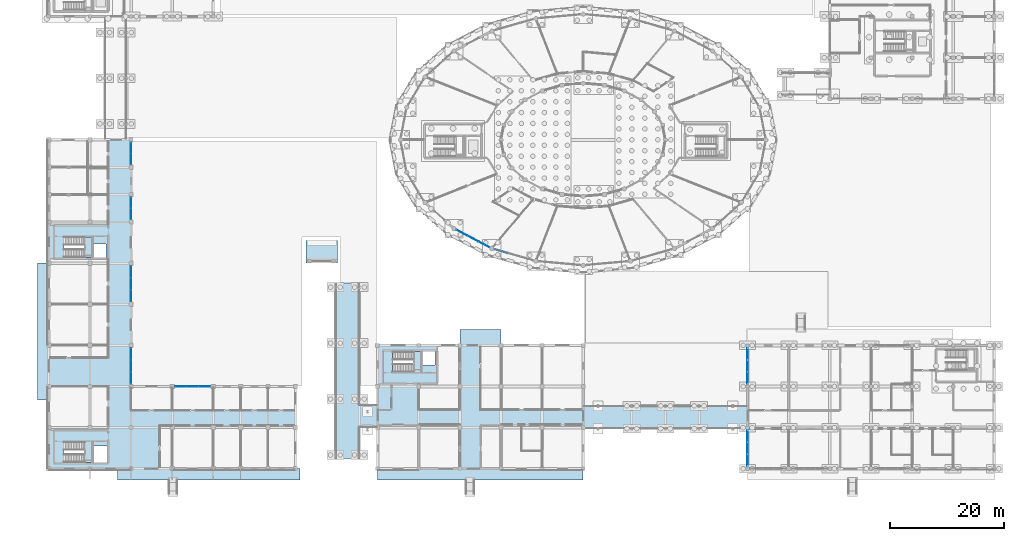
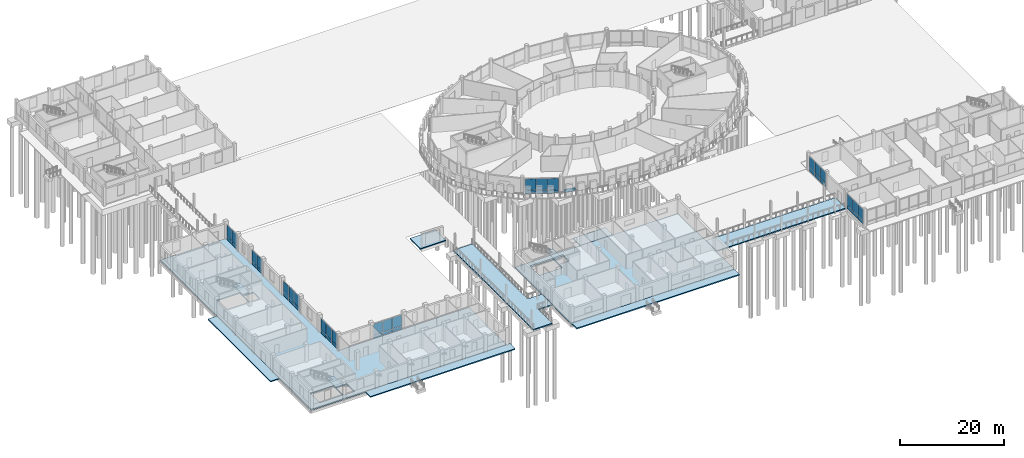
# One storey, part 65 of 98: 45 plates, 12 slabs, 12 elements without a shape of their own.
"""IFC4 building model written with IfcOpenShell, lengths in metres."""

from ifc_helpers import new_model, si_unit, direction, frame, origin, origin_2d, place, context, subcontext, project, spatial, polyline, rectangle, outline, extrude, material, layer, layer_set, type_object, element, aggregate, save


model = new_model("IFC4")

# Units and contexts
model_context = context("Model", 3, precision=1e-05, world=origin(), true_north=direction((0.0, 1.0)))
body_context = subcontext(model_context, "Body", "Model", "MODEL_VIEW")
ifc_project = project(units=[si_unit("LENGTHUNIT", "METRE"), si_unit("AREAUNIT", "SQUARE_METRE"), si_unit("VOLUMEUNIT", "CUBIC_METRE"), si_unit("PLANEANGLEUNIT", "RADIAN"), si_unit("MASSUNIT", "GRAM", prefix="KILO")], contexts=[model_context])

# Site, building, storey
site_placement = place(None, origin())
site = spatial("IfcSite", under=ifc_project, at=site_placement, CompositionType="ELEMENT")
building_placement = place(site_placement, origin())
building = spatial("IfcBuilding", under=site, at=building_placement, Name="Zornivar Specialist Clinic", CompositionType="ELEMENT")
storey_placement = place(building_placement, origin())
storey = spatial("IfcBuildingStorey", under=building, at=storey_placement, Name="L00", CompositionType="ELEMENT", Elevation=0.0)

# Curtain wall, plates
ifc_material_1 = material(Name="Aluminium and Low-E Glass Curtain Wall", Category="aluminium")
curtain_wall_type_1 = type_object("IfcCurtainWallType", Name="CW-DRUM-FACET", PredefinedType="NOTDEFINED", material=ifc_material_1)
curtain_wall_1_placement = place(storey_placement, origin())
curtain_wall_1 = element("IfcCurtainWall", 1, at=curtain_wall_1_placement, inside=storey, type_object=curtain_wall_type_1, Name="cw:V1:L00:c15", PredefinedType="NOTDEFINED")
ifc_material_2 = material(Name="Insulated Limestone-Faced Spandrel Panel", Category="masonry")
ifc_layer_1 = layer(ifc_material_2, 0.05810546875)
ifc_layer_set_1 = layer_set([ifc_layer_1], Name="Insulated Limestone-Faced Spandrel Panel")
plate_type_1 = type_object("IfcPlateType", Name="CWP-SPN-D", PredefinedType="CURTAIN_PANEL", material=ifc_layer_set_1)
plate_1_placement = place(storey_placement, frame((72.361083984375, 41.31201171875, 0.030029296875), z_axis=(0.0, 0.0, 1.0), x_axis=(0.884383019078, -0.46676190458, 0.0)))
plate_1 = element("IfcPlate", 2, at=plate_1_placement, type_object=plate_type_1, Name="cw:V1:L00:c15:spn:0", PredefinedType="CURTAIN_PANEL", context=body_context, shape_type="SweptSolid", body=[
    extrude(rectangle(XDim=2.10791015625, YDim=0.05810546875, at=origin_2d()), origin(), (0.0, 0.0, 1.0), 0.7900390625),
])
plate_2_placement = place(storey_placement, frame((74.287109375, 40.2958984375, 0.030029296875), z_axis=(0.0, 0.0, 1.0), x_axis=(0.884383019078, -0.46676190458, 0.0)))
plate_2 = element("IfcPlate", 3, at=plate_2_placement, type_object=plate_type_1, Name="cw:V1:L00:c15:spn:1", PredefinedType="CURTAIN_PANEL", context=body_context, shape_type="SweptSolid", body=[
    extrude(rectangle(XDim=2.10791015625, YDim=0.05810546875, at=origin_2d()), origin(), (0.0, 0.0, 1.0), 0.7900390625),
])
plate_3_placement = place(storey_placement, frame((76.212890625, 39.279052734375, 0.030029296875), z_axis=(0.0, 0.0, 1.0), x_axis=(0.884383019078, -0.46676190458, 0.0)))
plate_3 = element("IfcPlate", 4, at=plate_3_placement, type_object=plate_type_1, Name="cw:V1:L00:c15:spn:2", PredefinedType="CURTAIN_PANEL", context=body_context, shape_type="SweptSolid", body=[
    extrude(rectangle(XDim=2.10791015625, YDim=0.05810546875, at=origin_2d()), origin(), (0.0, 0.0, 1.0), 0.7900390625),
])

ifc_material_3 = material(Name="Aluminium and Low-E Glass Curtain Wall", Category="aluminium")
curtain_wall_type_2 = type_object("IfcCurtainWallType", Name="CW-REVAK-COURT", PredefinedType="NOTDEFINED", material=ifc_material_3)
curtain_wall_2_placement = place(storey_placement, origin())
curtain_wall_2 = element("IfcCurtainWall", 5, at=curtain_wall_2_placement, inside=storey, type_object=curtain_wall_type_2, Name="cw:V2:L00:12", PredefinedType="NOTDEFINED")
plate_4_placement = place(storey_placement, frame((27.280029296875, 14.39990234375, 0.030029296875), z_axis=(0.0, 0.0, 1.0), x_axis=(-1.0, 0.0, 0.0)))
plate_4 = element("IfcPlate", 6, at=plate_4_placement, type_object=plate_type_1, Name="cw:V2:L00:12:spn:0", PredefinedType="CURTAIN_PANEL", context=body_context, shape_type="SweptSolid", body=[
    extrude(rectangle(XDim=2.010009765625, YDim=0.05810546875, at=origin_2d()), origin(), (0.0, 0.0, 1.0), 0.7900390625),
])
plate_5_placement = place(storey_placement, frame((25.199951171875, 14.39990234375, 0.030029296875), z_axis=(0.0, 0.0, 1.0), x_axis=(-1.0, 0.0, 0.0)))
plate_5 = element("IfcPlate", 7, at=plate_5_placement, type_object=plate_type_1, Name="cw:V2:L00:12:spn:1", PredefinedType="CURTAIN_PANEL", context=body_context, shape_type="SweptSolid", body=[
    extrude(rectangle(XDim=2.010009765625, YDim=0.05810546875, at=origin_2d()), origin(), (0.0, 0.0, 1.0), 0.7900390625),
])
plate_6_placement = place(storey_placement, frame((23.1201171875, 14.39990234375, 0.030029296875), z_axis=(0.0, 0.0, 1.0), x_axis=(-1.0, 0.0, 0.0)))
plate_6 = element("IfcPlate", 8, at=plate_6_placement, type_object=plate_type_1, Name="cw:V2:L00:12:spn:2", PredefinedType="CURTAIN_PANEL", context=body_context, shape_type="SweptSolid", body=[
    extrude(rectangle(XDim=2.010009765625, YDim=0.05810546875, at=origin_2d()), origin(), (0.0, 0.0, 1.0), 0.7900390625),
])

curtain_wall_3_placement = place(storey_placement, origin())
curtain_wall_3 = element("IfcCurtainWall", 9, at=curtain_wall_3_placement, inside=storey, type_object=curtain_wall_type_2, Name="cw:V2:L00:14", PredefinedType="NOTDEFINED")
plate_7_placement = place(storey_placement, frame((14.39990234375, 15.919921875, 0.030029296875), z_axis=(0.0, 0.0, 1.0), x_axis=(0.0, 1.0, 0.0)))
plate_7 = element("IfcPlate", 10, at=plate_7_placement, type_object=plate_type_1, Name="cw:V2:L00:14:spn:0", PredefinedType="CURTAIN_PANEL", context=body_context, shape_type="SweptSolid", body=[
    extrude(rectangle(XDim=2.010009765625, YDim=0.05810546875, at=origin_2d()), origin(), (0.0, 0.0, 1.0), 0.7900390625),
])
plate_8_placement = place(storey_placement, frame((14.39990234375, 18.0, 0.030029296875), z_axis=(0.0, 0.0, 1.0), x_axis=(0.0, 1.0, 0.0)))
plate_8 = element("IfcPlate", 11, at=plate_8_placement, type_object=plate_type_1, Name="cw:V2:L00:14:spn:1", PredefinedType="CURTAIN_PANEL", context=body_context, shape_type="SweptSolid", body=[
    extrude(rectangle(XDim=2.010009765625, YDim=0.05810546875, at=origin_2d()), origin(), (0.0, 0.0, 1.0), 0.7900390625),
])
plate_9_placement = place(storey_placement, frame((14.39990234375, 20.080078125, 0.030029296875), z_axis=(0.0, 0.0, 1.0), x_axis=(0.0, 1.0, 0.0)))
plate_9 = element("IfcPlate", 12, at=plate_9_placement, type_object=plate_type_1, Name="cw:V2:L00:14:spn:2", PredefinedType="CURTAIN_PANEL", context=body_context, shape_type="SweptSolid", body=[
    extrude(rectangle(XDim=2.010009765625, YDim=0.05810546875, at=origin_2d()), origin(), (0.0, 0.0, 1.0), 0.7900390625),
])

curtain_wall_4_placement = place(storey_placement, origin())
curtain_wall_4 = element("IfcCurtainWall", 13, at=curtain_wall_4_placement, inside=storey, type_object=curtain_wall_type_2, Name="cw:V2:L00:16", PredefinedType="NOTDEFINED")
plate_10_placement = place(storey_placement, frame((14.39990234375, 30.320068359375, 0.030029296875), z_axis=(0.0, 0.0, 1.0), x_axis=(0.0, 1.0, 0.0)))
plate_10 = element("IfcPlate", 14, at=plate_10_placement, type_object=plate_type_1, Name="cw:V2:L00:16:spn:0", PredefinedType="CURTAIN_PANEL", context=body_context, shape_type="SweptSolid", body=[
    extrude(rectangle(XDim=2.010009765625, YDim=0.05810546875, at=origin_2d()), origin(), (0.0, 0.0, 1.0), 0.7900390625),
])
plate_11_placement = place(storey_placement, frame((14.39990234375, 32.39990234375, 0.030029296875), z_axis=(0.0, 0.0, 1.0), x_axis=(0.0, 1.0, 0.0)))
plate_11 = element("IfcPlate", 15, at=plate_11_placement, type_object=plate_type_1, Name="cw:V2:L00:16:spn:1", PredefinedType="CURTAIN_PANEL", context=body_context, shape_type="SweptSolid", body=[
    extrude(rectangle(XDim=2.010009765625, YDim=0.05810546875, at=origin_2d()), origin(), (0.0, 0.0, 1.0), 0.7900390625),
])
plate_12_placement = place(storey_placement, frame((14.39990234375, 34.47998046875, 0.030029296875), z_axis=(0.0, 0.0, 1.0), x_axis=(0.0, 1.0, 0.0)))
plate_12 = element("IfcPlate", 16, at=plate_12_placement, type_object=plate_type_1, Name="cw:V2:L00:16:spn:2", PredefinedType="CURTAIN_PANEL", context=body_context, shape_type="SweptSolid", body=[
    extrude(rectangle(XDim=2.010009765625, YDim=0.05810546875, at=origin_2d()), origin(), (0.0, 0.0, 1.0), 0.7900390625),
])

curtain_wall_5_placement = place(storey_placement, origin())
curtain_wall_5 = element("IfcCurtainWall", 17, at=curtain_wall_5_placement, inside=storey, type_object=curtain_wall_type_2, Name="cw:V2:L00:18", PredefinedType="NOTDEFINED")
plate_13_placement = place(storey_placement, frame((14.39990234375, 44.639892578125, 0.030029296875), z_axis=(0.0, 0.0, 1.0), x_axis=(0.0, 1.0, 0.0)))
plate_13 = element("IfcPlate", 18, at=plate_13_placement, type_object=plate_type_1, Name="cw:V2:L00:18:spn:0", PredefinedType="CURTAIN_PANEL", context=body_context, shape_type="SweptSolid", body=[
    extrude(rectangle(XDim=1.85009765625, YDim=0.05810546875, at=origin_2d()), origin(), (0.0, 0.0, 1.0), 0.7900390625),
])
plate_14_placement = place(storey_placement, frame((14.39990234375, 46.56005859375, 0.030029296875), z_axis=(0.0, 0.0, 1.0), x_axis=(0.0, 1.0, 0.0)))
plate_14 = element("IfcPlate", 19, at=plate_14_placement, type_object=plate_type_1, Name="cw:V2:L00:18:spn:1", PredefinedType="CURTAIN_PANEL", context=body_context, shape_type="SweptSolid", body=[
    extrude(rectangle(XDim=1.85009765625, YDim=0.05810546875, at=origin_2d()), origin(), (0.0, 0.0, 1.0), 0.7900390625),
])

curtain_wall_6_placement = place(storey_placement, origin())
curtain_wall_6 = element("IfcCurtainWall", 20, at=curtain_wall_6_placement, inside=storey, type_object=curtain_wall_type_2, Name="cw:V2:L00:20", PredefinedType="NOTDEFINED")
plate_15_placement = place(storey_placement, frame((14.39990234375, 54.239990234375, 0.030029296875), z_axis=(0.0, 0.0, 1.0), x_axis=(0.0, 1.0, 0.0)))
plate_15 = element("IfcPlate", 21, at=plate_15_placement, type_object=plate_type_1, Name="cw:V2:L00:20:spn:0", PredefinedType="CURTAIN_PANEL", context=body_context, shape_type="SweptSolid", body=[
    extrude(rectangle(XDim=1.85009765625, YDim=0.05810546875, at=origin_2d()), origin(), (0.0, 0.0, 1.0), 0.7900390625),
])
plate_16_placement = place(storey_placement, frame((14.39990234375, 56.159912109375, 0.030029296875), z_axis=(0.0, 0.0, 1.0), x_axis=(0.0, 1.0, 0.0)))
plate_16 = element("IfcPlate", 22, at=plate_16_placement, type_object=plate_type_1, Name="cw:V2:L00:20:spn:1", PredefinedType="CURTAIN_PANEL", context=body_context, shape_type="SweptSolid", body=[
    extrude(rectangle(XDim=1.85009765625, YDim=0.05810546875, at=origin_2d()), origin(), (0.0, 0.0, 1.0), 0.7900390625),
])

# Curtain wall, plate
curtain_wall_7_placement = place(storey_placement, origin())
curtain_wall_7 = element("IfcCurtainWall", 23, at=curtain_wall_7_placement, inside=storey, type_object=curtain_wall_type_1, Name="cw:V1:L00:c16", PredefinedType="NOTDEFINED")
ifc_material_4 = material(Name="Insulated Bronze Spandrel Panel")
ifc_layer_2 = layer(ifc_material_4, 0.0458984375)
ifc_layer_set_2 = layer_set([ifc_layer_2], Name="Insulated Bronze Spandrel Panel")
plate_type_2 = type_object("IfcPlateType", Name="CWP-SPN-E", PredefinedType="CURTAIN_PANEL", material=ifc_layer_set_2)
plate_17_placement = place(storey_placement, frame((79.194091796875, 38.093994140625, 0.030029296875), z_axis=(0.0, 0.0, 1.0), x_axis=(0.961761244933, -0.273889225319, 0.0)))
plate_17 = element("IfcPlate", 24, at=plate_17_placement, type_object=plate_type_2, Name="cw:V1:L00:c16:spn:0", PredefinedType="CURTAIN_PANEL", context=body_context, shape_type="SweptSolid", body=[
    extrude(rectangle(XDim=2.284912109375, YDim=0.0458984375, at=origin_2d()), origin(), (0.0, 0.0, 1.0), 0.7900390625),
])
aggregate(curtain_wall_7, [plate_17])

# Curtain wall, plates
ifc_material_5 = material(Name="Aluminium and Low-E Glass Curtain Wall", Category="aluminium")
curtain_wall_type_3 = type_object("IfcCurtainWallType", Name="CW-WINTERGARDEN", PredefinedType="NOTDEFINED", material=ifc_material_5)
curtain_wall_8_placement = place(storey_placement, origin())
curtain_wall_8 = element("IfcCurtainWall", 25, at=curtain_wall_8_placement, inside=storey, type_object=curtain_wall_type_3, Name="cw:V4:L00:15", PredefinedType="NOTDEFINED")
ifc_material_6 = material(Name="Insulated Terracotta Spandrel Panel", Category="masonry")
ifc_layer_3 = layer(ifc_material_6, 0.05810546875)
ifc_layer_set_3 = layer_set([ifc_layer_3], Name="Insulated Terracotta Spandrel Panel")
plate_type_3 = type_object("IfcPlateType", Name="CWP-SPN-F", PredefinedType="CURTAIN_PANEL", material=ifc_layer_set_3)
plate_18_placement = place(storey_placement, frame((122.39990234375, 20.080078125, 0.030029296875), z_axis=(0.0, 0.0, 1.0), x_axis=(0.0, -1.0, 0.0)))
plate_18 = element("IfcPlate", 26, at=plate_18_placement, type_object=plate_type_3, Name="cw:V4:L00:15:spn:0", PredefinedType="CURTAIN_PANEL", context=body_context, shape_type="SweptSolid", body=[
    extrude(rectangle(XDim=2.010009765625, YDim=0.05810546875, at=origin_2d()), origin(), (0.0, 0.0, 1.0), 0.7900390625),
])
plate_19_placement = place(storey_placement, frame((122.39990234375, 18.0, 0.030029296875), z_axis=(0.0, 0.0, 1.0), x_axis=(0.0, -1.0, 0.0)))
plate_19 = element("IfcPlate", 27, at=plate_19_placement, type_object=plate_type_3, Name="cw:V4:L00:15:spn:1", PredefinedType="CURTAIN_PANEL", context=body_context, shape_type="SweptSolid", body=[
    extrude(rectangle(XDim=2.010009765625, YDim=0.05810546875, at=origin_2d()), origin(), (0.0, 0.0, 1.0), 0.7900390625),
])
plate_20_placement = place(storey_placement, frame((122.39990234375, 15.919921875, 0.030029296875), z_axis=(0.0, 0.0, 1.0), x_axis=(0.0, -1.0, 0.0)))
plate_20 = element("IfcPlate", 28, at=plate_20_placement, type_object=plate_type_3, Name="cw:V4:L00:15:spn:2", PredefinedType="CURTAIN_PANEL", context=body_context, shape_type="SweptSolid", body=[
    extrude(rectangle(XDim=2.010009765625, YDim=0.05810546875, at=origin_2d()), origin(), (0.0, 0.0, 1.0), 0.7900390625),
])

curtain_wall_9_placement = place(storey_placement, origin())
curtain_wall_9 = element("IfcCurtainWall", 29, at=curtain_wall_9_placement, inside=storey, type_object=curtain_wall_type_3, Name="cw:V4:L00:17", PredefinedType="NOTDEFINED")
plate_21_placement = place(storey_placement, frame((122.39990234375, 5.679931640625, 0.030029296875), z_axis=(0.0, 0.0, 1.0), x_axis=(0.0, -1.0, 0.0)))
plate_21 = element("IfcPlate", 30, at=plate_21_placement, type_object=plate_type_3, Name="cw:V4:L00:17:spn:0", PredefinedType="CURTAIN_PANEL", context=body_context, shape_type="SweptSolid", body=[
    extrude(rectangle(XDim=2.010009765625, YDim=0.05810546875, at=origin_2d()), origin(), (0.0, 0.0, 1.0), 0.7900390625),
])
plate_22_placement = place(storey_placement, frame((122.39990234375, 3.60009765625, 0.030029296875), z_axis=(0.0, 0.0, 1.0), x_axis=(0.0, -1.0, 0.0)))
plate_22 = element("IfcPlate", 31, at=plate_22_placement, type_object=plate_type_3, Name="cw:V4:L00:17:spn:1", PredefinedType="CURTAIN_PANEL", context=body_context, shape_type="SweptSolid", body=[
    extrude(rectangle(XDim=2.010009765625, YDim=0.05810546875, at=origin_2d()), origin(), (0.0, 0.0, 1.0), 0.7900390625),
])
plate_23_placement = place(storey_placement, frame((122.39990234375, 1.52001953125, 0.030029296875), z_axis=(0.0, 0.0, 1.0), x_axis=(0.0, -1.0, 0.0)))
plate_23 = element("IfcPlate", 32, at=plate_23_placement, type_object=plate_type_3, Name="cw:V4:L00:17:spn:2", PredefinedType="CURTAIN_PANEL", context=body_context, shape_type="SweptSolid", body=[
    extrude(rectangle(XDim=2.010009765625, YDim=0.05810546875, at=origin_2d()), origin(), (0.0, 0.0, 1.0), 0.7900390625),
])

# Plate
ifc_material_7 = material(Name="Triple Low-E Vision Glass", Category="glass")
ifc_layer_4 = layer(ifc_material_7, 0.035888671875)
ifc_layer_set_4 = layer_set([ifc_layer_4], Name="Triple Low-E Vision Glass")
plate_type_4 = type_object("IfcPlateType", Name="CWP-VIS-F", PredefinedType="CURTAIN_PANEL", material=ifc_layer_set_4)
plate_24_placement = place(storey_placement, frame((72.361083984375, 41.31201171875, 0.884521484375), z_axis=(0.0, 0.0, 1.0), x_axis=(0.884383019078, -0.46676190458, 0.0)))
plate_24 = element("IfcPlate", 33, at=plate_24_placement, type_object=plate_type_4, Name="cw:V1:L00:c15:vis:0", PredefinedType="CURTAIN_PANEL", context=body_context, shape_type="SweptSolid", body=[
    extrude(rectangle(XDim=2.10791015625, YDim=0.035888671875, at=origin_2d()), origin(), (0.0, 0.0, 1.0), 2.625),
])

plate_25_placement = place(storey_placement, frame((74.287109375, 40.2958984375, 0.884521484375), z_axis=(0.0, 0.0, 1.0), x_axis=(0.884383019078, -0.46676190458, 0.0)))
plate_25 = element("IfcPlate", 34, at=plate_25_placement, type_object=plate_type_4, Name="cw:V1:L00:c15:vis:1", PredefinedType="CURTAIN_PANEL", context=body_context, shape_type="SweptSolid", body=[
    extrude(rectangle(XDim=2.10791015625, YDim=0.035888671875, at=origin_2d()), origin(), (0.0, 0.0, 1.0), 2.625),
])

plate_26_placement = place(storey_placement, frame((76.212890625, 39.279052734375, 0.884521484375), z_axis=(0.0, 0.0, 1.0), x_axis=(0.884383019078, -0.46676190458, 0.0)))
plate_26 = element("IfcPlate", 35, at=plate_26_placement, type_object=plate_type_4, Name="cw:V1:L00:c15:vis:2", PredefinedType="CURTAIN_PANEL", context=body_context, shape_type="SweptSolid", body=[
    extrude(rectangle(XDim=2.10791015625, YDim=0.035888671875, at=origin_2d()), origin(), (0.0, 0.0, 1.0), 2.625),
])

aggregate(curtain_wall_1, [plate_1, plate_24, plate_2, plate_25, plate_3, plate_26])

plate_27_placement = place(storey_placement, frame((27.280029296875, 14.39990234375, 0.884765625), z_axis=(0.0, 0.0, 1.0), x_axis=(-1.0, 0.0, 0.0)))
plate_27 = element("IfcPlate", 36, at=plate_27_placement, type_object=plate_type_4, Name="cw:V2:L00:12:vis:0", PredefinedType="CURTAIN_PANEL", context=body_context, shape_type="SweptSolid", body=[
    extrude(rectangle(XDim=2.010009765625, YDim=0.035888671875, at=origin_2d()), origin(), (0.0, 0.0, 1.0), 2.574951171875),
])

plate_28_placement = place(storey_placement, frame((25.199951171875, 14.39990234375, 0.884765625), z_axis=(0.0, 0.0, 1.0), x_axis=(-1.0, 0.0, 0.0)))
plate_28 = element("IfcPlate", 37, at=plate_28_placement, type_object=plate_type_4, Name="cw:V2:L00:12:vis:1", PredefinedType="CURTAIN_PANEL", context=body_context, shape_type="SweptSolid", body=[
    extrude(rectangle(XDim=2.010009765625, YDim=0.035888671875, at=origin_2d()), origin(), (0.0, 0.0, 1.0), 2.574951171875),
])

plate_29_placement = place(storey_placement, frame((23.1201171875, 14.39990234375, 0.884765625), z_axis=(0.0, 0.0, 1.0), x_axis=(-1.0, 0.0, 0.0)))
plate_29 = element("IfcPlate", 38, at=plate_29_placement, type_object=plate_type_4, Name="cw:V2:L00:12:vis:2", PredefinedType="CURTAIN_PANEL", context=body_context, shape_type="SweptSolid", body=[
    extrude(rectangle(XDim=2.010009765625, YDim=0.035888671875, at=origin_2d()), origin(), (0.0, 0.0, 1.0), 2.574951171875),
])

aggregate(curtain_wall_2, [plate_4, plate_27, plate_5, plate_28, plate_6, plate_29])

plate_30_placement = place(storey_placement, frame((14.39990234375, 30.320068359375, 0.884765625), z_axis=(0.0, 0.0, 1.0), x_axis=(0.0, 1.0, 0.0)))
plate_30 = element("IfcPlate", 39, at=plate_30_placement, type_object=plate_type_4, Name="cw:V2:L00:16:vis:0", PredefinedType="CURTAIN_PANEL", context=body_context, shape_type="SweptSolid", body=[
    extrude(rectangle(XDim=2.010009765625, YDim=0.035888671875, at=origin_2d()), origin(), (0.0, 0.0, 1.0), 2.574951171875),
])

plate_31_placement = place(storey_placement, frame((14.39990234375, 32.39990234375, 0.884765625), z_axis=(0.0, 0.0, 1.0), x_axis=(0.0, 1.0, 0.0)))
plate_31 = element("IfcPlate", 40, at=plate_31_placement, type_object=plate_type_4, Name="cw:V2:L00:16:vis:1", PredefinedType="CURTAIN_PANEL", context=body_context, shape_type="SweptSolid", body=[
    extrude(rectangle(XDim=2.010009765625, YDim=0.035888671875, at=origin_2d()), origin(), (0.0, 0.0, 1.0), 2.574951171875),
])

plate_32_placement = place(storey_placement, frame((14.39990234375, 34.47998046875, 0.884765625), z_axis=(0.0, 0.0, 1.0), x_axis=(0.0, 1.0, 0.0)))
plate_32 = element("IfcPlate", 41, at=plate_32_placement, type_object=plate_type_4, Name="cw:V2:L00:16:vis:2", PredefinedType="CURTAIN_PANEL", context=body_context, shape_type="SweptSolid", body=[
    extrude(rectangle(XDim=2.010009765625, YDim=0.035888671875, at=origin_2d()), origin(), (0.0, 0.0, 1.0), 2.574951171875),
])

aggregate(curtain_wall_4, [plate_10, plate_30, plate_11, plate_31, plate_12, plate_32])

plate_33_placement = place(storey_placement, frame((14.39990234375, 54.239990234375, 0.884765625), z_axis=(0.0, 0.0, 1.0), x_axis=(0.0, 1.0, 0.0)))
plate_33 = element("IfcPlate", 42, at=plate_33_placement, type_object=plate_type_4, Name="cw:V2:L00:20:vis:0", PredefinedType="CURTAIN_PANEL", context=body_context, shape_type="SweptSolid", body=[
    extrude(rectangle(XDim=1.85009765625, YDim=0.035888671875, at=origin_2d()), origin(), (0.0, 0.0, 1.0), 2.574951171875),
])

plate_34_placement = place(storey_placement, frame((14.39990234375, 56.159912109375, 0.884765625), z_axis=(0.0, 0.0, 1.0), x_axis=(0.0, 1.0, 0.0)))
plate_34 = element("IfcPlate", 43, at=plate_34_placement, type_object=plate_type_4, Name="cw:V2:L00:20:vis:1", PredefinedType="CURTAIN_PANEL", context=body_context, shape_type="SweptSolid", body=[
    extrude(rectangle(XDim=1.85009765625, YDim=0.035888671875, at=origin_2d()), origin(), (0.0, 0.0, 1.0), 2.574951171875),
])

aggregate(curtain_wall_6, [plate_15, plate_33, plate_16, plate_34])

ifc_material_8 = material(Name="Triple Low-E Vision Glass", Category="glass")
ifc_layer_5 = layer(ifc_material_8, 0.035888671875)
ifc_layer_set_5 = layer_set([ifc_layer_5], Name="Triple Low-E Vision Glass")
plate_type_5 = type_object("IfcPlateType", Name="CWP-VIS-G", PredefinedType="CURTAIN_PANEL", material=ifc_layer_set_5)
plate_35_placement = place(storey_placement, frame((14.39990234375, 15.919921875, 0.884765625), z_axis=(0.0, 0.0, 1.0), x_axis=(0.0, 1.0, 0.0)))
plate_35 = element("IfcPlate", 44, at=plate_35_placement, type_object=plate_type_5, Name="cw:V2:L00:14:vis:0", PredefinedType="CURTAIN_PANEL", context=body_context, shape_type="SweptSolid", body=[
    extrude(rectangle(XDim=2.010009765625, YDim=0.035888671875, at=origin_2d()), origin(), (0.0, 0.0, 1.0), 2.574951171875),
])

plate_36_placement = place(storey_placement, frame((14.39990234375, 18.0, 0.884765625), z_axis=(0.0, 0.0, 1.0), x_axis=(0.0, 1.0, 0.0)))
plate_36 = element("IfcPlate", 45, at=plate_36_placement, type_object=plate_type_5, Name="cw:V2:L00:14:vis:1", PredefinedType="CURTAIN_PANEL", context=body_context, shape_type="SweptSolid", body=[
    extrude(rectangle(XDim=2.010009765625, YDim=0.035888671875, at=origin_2d()), origin(), (0.0, 0.0, 1.0), 2.574951171875),
])

plate_37_placement = place(storey_placement, frame((14.39990234375, 20.080078125, 0.884765625), z_axis=(0.0, 0.0, 1.0), x_axis=(0.0, 1.0, 0.0)))
plate_37 = element("IfcPlate", 46, at=plate_37_placement, type_object=plate_type_5, Name="cw:V2:L00:14:vis:2", PredefinedType="CURTAIN_PANEL", context=body_context, shape_type="SweptSolid", body=[
    extrude(rectangle(XDim=2.010009765625, YDim=0.035888671875, at=origin_2d()), origin(), (0.0, 0.0, 1.0), 2.574951171875),
])

aggregate(curtain_wall_3, [plate_7, plate_35, plate_8, plate_36, plate_9, plate_37])

plate_38_placement = place(storey_placement, frame((14.39990234375, 44.639892578125, 0.884765625), z_axis=(0.0, 0.0, 1.0), x_axis=(0.0, 1.0, 0.0)))
plate_38 = element("IfcPlate", 47, at=plate_38_placement, type_object=plate_type_5, Name="cw:V2:L00:18:vis:0", PredefinedType="CURTAIN_PANEL", context=body_context, shape_type="SweptSolid", body=[
    extrude(rectangle(XDim=1.85009765625, YDim=0.035888671875, at=origin_2d()), origin(), (0.0, 0.0, 1.0), 2.574951171875),
])

plate_39_placement = place(storey_placement, frame((14.39990234375, 46.56005859375, 0.884765625), z_axis=(0.0, 0.0, 1.0), x_axis=(0.0, 1.0, 0.0)))
plate_39 = element("IfcPlate", 48, at=plate_39_placement, type_object=plate_type_5, Name="cw:V2:L00:18:vis:1", PredefinedType="CURTAIN_PANEL", context=body_context, shape_type="SweptSolid", body=[
    extrude(rectangle(XDim=1.85009765625, YDim=0.035888671875, at=origin_2d()), origin(), (0.0, 0.0, 1.0), 2.574951171875),
])

aggregate(curtain_wall_5, [plate_13, plate_38, plate_14, plate_39])

ifc_material_9 = material(Name="Solar-Control Wintergarden Glass", Category="glass")
ifc_layer_6 = layer(ifc_material_9, 0.0419921875)
ifc_layer_set_6 = layer_set([ifc_layer_6], Name="Solar-Control Wintergarden Glass")
plate_type_6 = type_object("IfcPlateType", Name="CWP-VIS-K", PredefinedType="CURTAIN_PANEL", material=ifc_layer_set_6)
plate_40_placement = place(storey_placement, frame((122.39990234375, 20.080078125, 0.8857421875), z_axis=(0.0, 0.0, 1.0), x_axis=(0.0, -1.0, 0.0)))
plate_40 = element("IfcPlate", 49, at=plate_40_placement, type_object=plate_type_6, Name="cw:V4:L00:15:vis:0", PredefinedType="CURTAIN_PANEL", context=body_context, shape_type="SweptSolid", body=[
    extrude(rectangle(XDim=2.010009765625, YDim=0.0419921875, at=origin_2d()), origin(), (0.0, 0.0, 1.0), 2.594970703125),
])

plate_41_placement = place(storey_placement, frame((122.39990234375, 18.0, 0.8857421875), z_axis=(0.0, 0.0, 1.0), x_axis=(0.0, -1.0, 0.0)))
plate_41 = element("IfcPlate", 50, at=plate_41_placement, type_object=plate_type_6, Name="cw:V4:L00:15:vis:1", PredefinedType="CURTAIN_PANEL", context=body_context, shape_type="SweptSolid", body=[
    extrude(rectangle(XDim=2.010009765625, YDim=0.0419921875, at=origin_2d()), origin(), (0.0, 0.0, 1.0), 2.594970703125),
])

plate_42_placement = place(storey_placement, frame((122.39990234375, 15.919921875, 0.8857421875), z_axis=(0.0, 0.0, 1.0), x_axis=(0.0, -1.0, 0.0)))
plate_42 = element("IfcPlate", 51, at=plate_42_placement, type_object=plate_type_6, Name="cw:V4:L00:15:vis:2", PredefinedType="CURTAIN_PANEL", context=body_context, shape_type="SweptSolid", body=[
    extrude(rectangle(XDim=2.010009765625, YDim=0.0419921875, at=origin_2d()), origin(), (0.0, 0.0, 1.0), 2.594970703125),
])

aggregate(curtain_wall_8, [plate_18, plate_40, plate_19, plate_41, plate_20, plate_42])

plate_43_placement = place(storey_placement, frame((122.39990234375, 5.679931640625, 0.8857421875), z_axis=(0.0, 0.0, 1.0), x_axis=(0.0, -1.0, 0.0)))
plate_43 = element("IfcPlate", 52, at=plate_43_placement, type_object=plate_type_6, Name="cw:V4:L00:17:vis:0", PredefinedType="CURTAIN_PANEL", context=body_context, shape_type="SweptSolid", body=[
    extrude(rectangle(XDim=2.010009765625, YDim=0.0419921875, at=origin_2d()), origin(), (0.0, 0.0, 1.0), 2.594970703125),
])

plate_44_placement = place(storey_placement, frame((122.39990234375, 3.60009765625, 0.8857421875), z_axis=(0.0, 0.0, 1.0), x_axis=(0.0, -1.0, 0.0)))
plate_44 = element("IfcPlate", 53, at=plate_44_placement, type_object=plate_type_6, Name="cw:V4:L00:17:vis:1", PredefinedType="CURTAIN_PANEL", context=body_context, shape_type="SweptSolid", body=[
    extrude(rectangle(XDim=2.010009765625, YDim=0.0419921875, at=origin_2d()), origin(), (0.0, 0.0, 1.0), 2.594970703125),
])

plate_45_placement = place(storey_placement, frame((122.39990234375, 1.52001953125, 0.8857421875), z_axis=(0.0, 0.0, 1.0), x_axis=(0.0, -1.0, 0.0)))
plate_45 = element("IfcPlate", 54, at=plate_45_placement, type_object=plate_type_6, Name="cw:V4:L00:17:vis:2", PredefinedType="CURTAIN_PANEL", context=body_context, shape_type="SweptSolid", body=[
    extrude(rectangle(XDim=2.010009765625, YDim=0.0419921875, at=origin_2d()), origin(), (0.0, 0.0, 1.0), 2.594970703125),
])

aggregate(curtain_wall_9, [plate_21, plate_43, plate_22, plate_44, plate_23, plate_45])

# Slabs
ifc_material_10 = material(Name="Concrete C30/37", Category="concrete")
ifc_layer_7 = layer(ifc_material_10, 0.25)
ifc_layer_set_7 = layer_set([ifc_layer_7], Name="Concrete C30/37")
slab_type_1 = type_object("IfcSlabType", Name="SLB-EXT-APRON-250", PredefinedType="FLOOR", material=ifc_layer_set_7)
slab_1_placement = place(storey_placement, frame((0.0, 0.0, -0.25)))
element("IfcSlab", 55, at=slab_1_placement, inside=storey, type_object=slab_type_1, Name="slab:BR1:L00:walk", PredefinedType="FLOOR", context=body_context, shape_type="SweptSolid", body=[
    extrude(outline(polyline([(57.47998046875, 11.199951171875), (57.47998046875, 7.199951171875), (54.39990234375, 7.199951171875), (54.39990234375, 1.800048828125), (50.199951171875, 1.800048828125), (50.199951171875, 32.39990234375), (54.39990234375, 32.39990234375), (54.39990234375, 11.199951171875), (57.47998046875, 11.199951171875)])), origin(), (0.0, 0.0, 1.0), 0.25),
])
slab_2_placement = place(storey_placement, frame((0.0, 0.0, -0.25)))
element("IfcSlab", 56, at=slab_2_placement, inside=storey, type_object=slab_type_1, Name="slab:BR4:L00:walk", PredefinedType="FLOOR", context=body_context, shape_type="SweptSolid", body=[
    extrude(outline(polyline([(93.719970703125, 7.0), (122.280029296875, 7.0), (122.280029296875, 11.0), (93.719970703125, 11.0), (93.719970703125, 7.0)])), origin(), (0.0, 0.0, 1.0), 0.25),
])
slab_3_placement = place(storey_placement, frame((0.0, 0.0, -0.25)))
element("IfcSlab", 57, at=slab_3_placement, inside=storey, type_object=slab_type_1, Name="slab:apron:L00:V2S", PredefinedType="FLOOR", context=body_context, shape_type="SweptSolid", body=[
    extrude(outline(polyline([(12.0, -2.0), (44.0, -2.0), (44.0, 0.0), (12.0, 0.0), (12.0, -2.0)])), origin(), (0.0, 0.0, 1.0), 0.25),
])
slab_4_placement = place(storey_placement, frame((0.0, 0.0, -0.25)))
element("IfcSlab", 58, at=slab_4_placement, inside=storey, type_object=slab_type_1, Name="slab:apron:L00:V2W", PredefinedType="FLOOR", context=body_context, shape_type="SweptSolid", body=[
    extrude(outline(polyline([(-2.0, 12.0), (0.0, 12.0), (0.0, 36.0), (-2.0, 36.0), (-2.0, 12.0)])), origin(), (0.0, 0.0, 1.0), 0.25),
])
slab_5_placement = place(storey_placement, frame((0.0, 0.0, -0.25)))
element("IfcSlab", 59, at=slab_5_placement, inside=storey, type_object=slab_type_1, Name="slab:apron:L00:V3S", PredefinedType="FLOOR", context=body_context, shape_type="SweptSolid", body=[
    extrude(outline(polyline([(57.60009765625, -2.0), (93.60009765625, -2.0), (93.60009765625, 0.0), (57.60009765625, 0.0), (57.60009765625, -2.0)])), origin(), (0.0, 0.0, 1.0), 0.25),
])
slab_6_placement = place(storey_placement, frame((0.0, 0.0, -0.25)))
element("IfcSlab", 60, at=slab_6_placement, inside=storey, type_object=slab_type_1, Name="slab:apron:L00:V3N", PredefinedType="FLOOR", context=body_context, shape_type="SweptSolid", body=[
    extrude(outline(polyline([(72.0, 21.60009765625), (79.199951171875, 21.60009765625), (79.199951171875, 24.39990234375), (72.0, 24.39990234375), (72.0, 21.60009765625)])), origin(), (0.0, 0.0, 1.0), 0.25),
])
slab_7_placement = place(storey_placement, frame((0.0, 0.0, -0.25)))
element("IfcSlab", 61, at=slab_7_placement, inside=storey, type_object=slab_type_1, Name="slab:apron:L00:RMP", PredefinedType="FLOOR", context=body_context, shape_type="SweptSolid", body=[
    extrude(outline(polyline([(45.0, 36.0), (50.60009765625, 36.0), (50.60009765625, 40.0), (45.0, 40.0), (45.0, 36.0)])), origin(), (0.0, 0.0, 1.0), 0.25),
])
ifc_material_11 = material(Name="Concrete C30/37", Category="concrete")
ifc_layer_8 = layer(ifc_material_11, 0.280029296875)
ifc_layer_set_8 = layer_set([ifc_layer_8], Name="Concrete C30/37")
slab_type_2 = type_object("IfcSlabType", Name="SLB-FLR-280", PredefinedType="FLOOR", material=ifc_layer_set_8)
slab_8_placement = place(storey_placement, frame((0.0, 0.0, -0.280029296875)))
element("IfcSlab", 62, at=slab_8_placement, inside=storey, type_object=slab_type_2, Name="slab:V2:L00:main", PredefinedType="FLOOR", context=body_context, shape_type="SweptSolid", body=[
    extrude(outline(polyline([(0.0, 0.0), (43.199951171875, 0.0), (43.199951171875, 14.39990234375), (14.39990234375, 14.39990234375), (14.39990234375, 57.60009765625), (0.0, 57.60009765625), (0.0, 0.0)]), holes=[polyline([(2.6201171875, 1.10009765625), (7.699951171875, 1.10009765625), (7.699951171875, 4.699951171875), (2.6201171875, 4.699951171875), (2.6201171875, 1.10009765625)]), polyline([(7.800048828125, 1.0), (10.199951171875, 1.0), (10.199951171875, 4.0), (7.800048828125, 4.0), (7.800048828125, 1.0)]), polyline([(2.6201171875, 37.0), (7.699951171875, 37.0), (7.699951171875, 40.60009765625), (2.6201171875, 40.60009765625), (2.6201171875, 37.0)]), polyline([(7.800048828125, 37.0), (10.0, 37.0), (10.0, 39.39990234375), (7.800048828125, 39.39990234375), (7.800048828125, 37.0)])]), origin(), (0.0, 0.0, 1.0), 0.280029296875),
])
ifc_material_12 = material(Name="Concrete C30/37", Category="concrete")
ifc_layer_9 = layer(ifc_material_12, 0.35009765625)
ifc_layer_set_9 = layer_set([ifc_layer_9], Name="Concrete C30/37")
slab_type_3 = type_object("IfcSlabType", Name="SLB-FLR-IMG-350", PredefinedType="FLOOR", material=ifc_layer_set_9)
slab_9_placement = place(storey_placement, frame((0.0, 0.0, -0.35009765625)))
element("IfcSlab", 63, at=slab_9_placement, inside=storey, type_object=slab_type_3, Name="slab:V3:L00:main", PredefinedType="FLOOR", context=body_context, shape_type="SweptSolid", body=[
    extrude(outline(polyline([(57.60009765625, 0.0), (93.60009765625, 0.0), (93.60009765625, 21.60009765625), (57.60009765625, 21.60009765625), (57.60009765625, 0.0)]), holes=[polyline([(60.219970703125, 16.89990234375), (65.300048828125, 16.89990234375), (65.300048828125, 20.5), (60.219970703125, 20.5), (60.219970703125, 16.89990234375)]), polyline([(65.39990234375, 18.199951171875), (67.60009765625, 18.199951171875), (67.60009765625, 20.60009765625), (65.39990234375, 20.60009765625), (65.39990234375, 18.199951171875)])]), origin(), (0.0, 0.0, 1.0), 0.35009765625),
])

# Stair, slab
ifc_material_13 = material(Name="Concrete C30/37", Category="concrete")
stair_type = type_object("IfcStairType", Name="STR-CORE-L00-L01", PredefinedType="HALF_TURN_STAIR", material=ifc_material_13)
stair_1_placement = place(storey_placement, origin())
stair_1 = element("IfcStair", 64, at=stair_1_placement, inside=storey, type_object=stair_type, Name="stair:C1:L00", PredefinedType="HALF_TURN_STAIR")
ifc_material_14 = material(Name="Concrete C30/37", Category="concrete")
ifc_layer_10 = layer(ifc_material_14, 0.2099609375)
ifc_layer_set_10 = layer_set([ifc_layer_10], Name="Concrete C30/37")
slab_type_4 = type_object("IfcSlabType", Name="SLB-LANDING-210", PredefinedType="LANDING", material=ifc_layer_set_10)
slab_10_placement = place(storey_placement, frame((0.0, 0.0, 2.0400390625)))
slab_10 = element("IfcSlab", 65, at=slab_10_placement, type_object=slab_type_4, Name="stair:C1:L00:land", PredefinedType="LANDING", context=body_context, shape_type="SweptSolid", body=[
    extrude(outline(polyline([(6.219970703125, 1.080078125), (7.719970703125, 1.080078125), (7.719970703125, 4.719970703125), (6.219970703125, 4.719970703125), (6.219970703125, 1.080078125)])), origin(), (0.0, 0.0, 1.0), 0.2099609375),
])
aggregate(stair_1, [slab_10])

stair_2_placement = place(storey_placement, origin())
stair_2 = element("IfcStair", 66, at=stair_2_placement, inside=storey, type_object=stair_type, Name="stair:C2:L00", PredefinedType="HALF_TURN_STAIR")
slab_11_placement = place(storey_placement, frame((0.0, 0.0, 2.0400390625)))
slab_11 = element("IfcSlab", 67, at=slab_11_placement, type_object=slab_type_4, Name="stair:C2:L00:land", PredefinedType="LANDING", context=body_context, shape_type="SweptSolid", body=[
    extrude(outline(polyline([(6.219970703125, 36.97998046875), (7.719970703125, 36.97998046875), (7.719970703125, 40.6201171875), (6.219970703125, 40.6201171875), (6.219970703125, 36.97998046875)])), origin(), (0.0, 0.0, 1.0), 0.2099609375),
])
aggregate(stair_2, [slab_11])

stair_3_placement = place(storey_placement, origin())
stair_3 = element("IfcStair", 68, at=stair_3_placement, inside=storey, type_object=stair_type, Name="stair:C5:L00", PredefinedType="HALF_TURN_STAIR")
slab_12_placement = place(storey_placement, frame((0.0, 0.0, 2.0400390625)))
slab_12 = element("IfcSlab", 69, at=slab_12_placement, type_object=slab_type_4, Name="stair:C5:L00:land", PredefinedType="LANDING", context=body_context, shape_type="SweptSolid", body=[
    extrude(outline(polyline([(63.820068359375, 16.8798828125), (65.320068359375, 16.8798828125), (65.320068359375, 20.52001953125), (63.820068359375, 20.52001953125), (63.820068359375, 16.8798828125)])), origin(), (0.0, 0.0, 1.0), 0.2099609375),
])
aggregate(stair_3, [slab_12])

save(model, "model.ifc")
